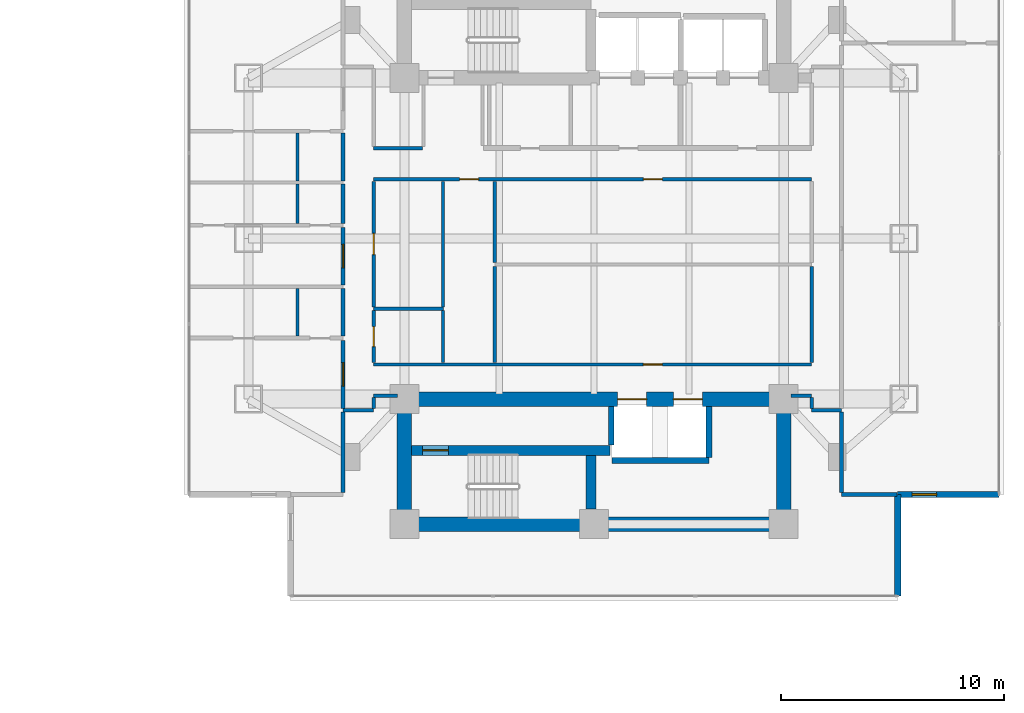
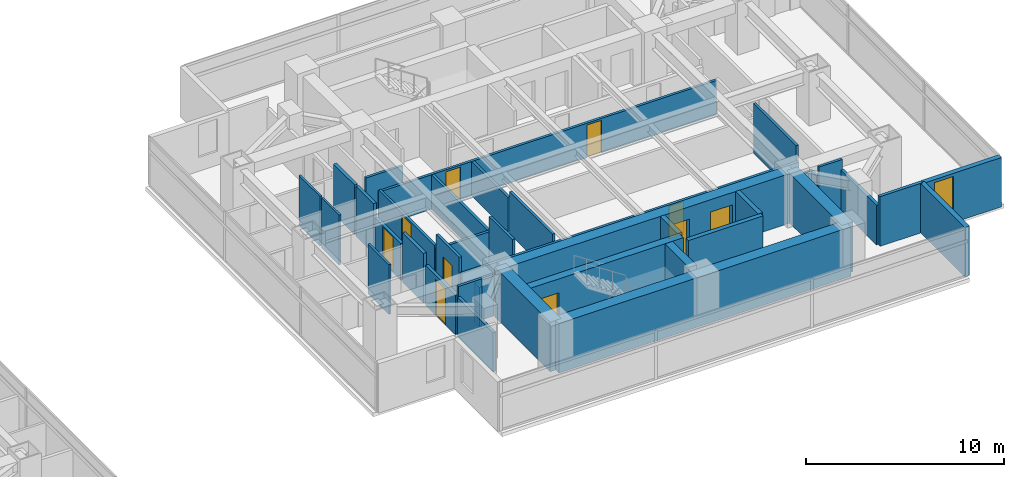
# One storey, part 16 of 24: 39 walls, 10 doors, 1 window, 11 openings.
"""IFC4 building model written with IfcOpenShell, lengths in metres."""

from ifc_helpers import new_model, si_unit, direction, frame, frame_2d, origin, place, context, subcontext, project, spatial, rectangle, extrude, material, layer, layer_set, type_object, element, fill, save


model = new_model("IFC4")

# Units and contexts
model_context = context("Model", 3, precision=1e-05, world=origin(), true_north=direction((0.0, 1.0)))
body_context = subcontext(model_context, "Body", "Model", "MODEL_VIEW")
ifc_project = project(units=[si_unit("LENGTHUNIT", "METRE"), si_unit("AREAUNIT", "SQUARE_METRE"), si_unit("VOLUMEUNIT", "CUBIC_METRE"), si_unit("PLANEANGLEUNIT", "RADIAN"), si_unit("MASSUNIT", "GRAM", prefix="KILO")], contexts=[model_context])

# Site, building, storey
site_placement = place(None, origin())
site = spatial("IfcSite", under=ifc_project, at=site_placement, CompositionType="ELEMENT")
building_placement = place(site_placement, origin())
building = spatial("IfcBuilding", under=site, at=building_placement, Name="Mirazonda Arch Towers", CompositionType="ELEMENT")
storey_placement = place(building_placement, frame((0.0, 0.0, 62.0)))
storey = spatial("IfcBuildingStorey", under=building, at=storey_placement, Name="L17", CompositionType="ELEMENT", Elevation=62.0)

# Wall, opening, door
ifc_material_1 = material(Name="Concrete C50/60", Category="concrete")
ifc_layer_1 = layer(ifc_material_1, 0.449951171875, Name="WALL-CORE-450")
ifc_layer_set_1 = layer_set([ifc_layer_1], Name="Concrete C50/60")
wall_type_1 = type_object("IfcWallType", Name="WALL-CORE-450", PredefinedType="SHEAR", material=ifc_layer_set_1)
wall_1_placement = place(storey_placement, frame((68.320068359375, 18.5, 0.0), z_axis=(0.0, 0.0, 1.0), x_axis=(1.0, 0.0, 0.0)))
wall_1 = element("IfcWall", 1, at=wall_1_placement, inside=storey, type_object=wall_type_1, Name="L17 Stair Core Shear Wall 014", PredefinedType="SHEAR", context=body_context, shape_type="SweptSolid", body=[
    extrude(rectangle(XDim=8.89990234375, YDim=0.449951171875, at=frame_2d((4.449951171875, 0.0))), origin(), (0.0, 0.0, 1.0), 3.06005859375),
])
opening_1_placement = place(wall_1_placement, frame((0.4951171875, 0.0, 0.0)))
opening_1 = element("IfcOpeningElement", 2, at=opening_1_placement, cuts=wall_1, Name="Opening DR-135", PredefinedType="OPENING", context=body_context, shape_type="SweptSolid", body=[
    extrude(rectangle(XDim=1.14990234375, YDim=2.199951171875, at=frame_2d((0.574951171875, 1.10009765625))), frame((0.0, 0.23486328125, 0.0), z_axis=(0.0, -1.0, 0.0), x_axis=(1.0, 0.0, 0.0)), (0.0, 0.0, 1.0), 0.469970703125),
])
ifc_material_2 = material(Name="Architectural Brushed Steel S355", Category="steel")
door_type_1 = type_object("IfcDoorType", Name="DOOR-STAIR-FD90-1150", OperationType="NOTDEFINED", PredefinedType="DOOR", material=ifc_material_2)
door_1_placement = place(opening_1_placement, origin())
door_1 = element("IfcDoor", 3, at=door_1_placement, inside=storey, type_object=door_type_1, Name="L17 East Protected Stair South Door", OperationType="SINGLE_SWING_RIGHT", OverallHeight=2.199951171875, OverallWidth=1.14990234375, PredefinedType="DOOR", context=body_context, shape_type="SweptSolid", body=[
    extrude(rectangle(XDim=1.14990234375, YDim=2.199951171875, at=frame_2d((0.574951171875, 1.10009765625))), frame((0.0, 0.02490234375, 0.0), z_axis=(0.0, -1.0, 0.0), x_axis=(1.0, 0.0, 0.0)), (0.0, 0.0, 1.0), 0.050048828125),
])
fill(opening_1, door_1)

# Walls
wall_2_placement = place(storey_placement, frame((76.360107421875, 15.864990234375, 0.0), z_axis=(0.0, 0.0, 1.0), x_axis=(0.0, 1.0, 0.0)))
element("IfcWall", 4, at=wall_2_placement, inside=storey, type_object=wall_type_1, Name="L17 Stair Core Shear Wall 139", PredefinedType="SHEAR", context=body_context, shape_type="SweptSolid", body=[
    extrude(rectangle(XDim=2.39990234375, YDim=0.449951171875, at=frame_2d((1.199951171875, 0.0))), origin(), (0.0, 0.0, 1.0), 3.06005859375),
])
ifc_material_3 = material(Name="Concrete C60/75", Category="concrete")
ifc_layer_2 = layer(ifc_material_3, 0.64990234375, Name="WALL-CORE-650")
ifc_layer_set_2 = layer_set([ifc_layer_2], Name="Concrete C60/75")
wall_type_2 = type_object("IfcWallType", Name="WALL-CORE-650", PredefinedType="SHEAR", material=ifc_layer_set_2)
wall_3_placement = place(storey_placement, frame((68.0, 15.199951171875, 0.0), z_axis=(0.0, 0.0, 1.0), x_axis=(1.0, 0.0, 0.0)))
element("IfcWall", 5, at=wall_3_placement, inside=storey, type_object=wall_type_2, Name="L17 T2S-S Core Shear Wall", PredefinedType="SHEAR", context=body_context, shape_type="SweptSolid", body=[
    extrude(rectangle(XDim=17.0, YDim=0.64990234375, at=frame_2d((8.5, 0.0))), origin(), (0.0, 0.0, 1.0), 3.06005859375),
])
for number, where, z_axis, x_axis, name in (
    (6, (68.0, 15.199951171875, 0.0), (0.0, 0.0, 1.0), (0.0, 1.0, 0.0), "L17 T2S-W Core Shear Wall"),
    (7, (85.0, 15.199951171875, 0.0), (0.0, 0.0, 1.0), (0.0, 1.0, 0.0), "L17 T2S-E Core Shear Wall"),
):
    element("IfcWall", number, at=place(storey_placement, frame(where, z_axis=z_axis, x_axis=x_axis)), inside=storey, type_object=wall_type_2, Name=name, PredefinedType="SHEAR", context=body_context, shape_type="SweptSolid", body=[
        extrude(rectangle(XDim=5.60009765625, YDim=0.64990234375, at=frame_2d((2.800048828125, 0.0))), origin(), (0.0, 0.0, 1.0), 3.06005859375),
    ])

# Wall, openings, doors
wall_4_placement = place(storey_placement, frame((68.0, 20.800048828125, 0.0), z_axis=(0.0, 0.0, 1.0), x_axis=(1.0, 0.0, 0.0)))
wall_4 = element("IfcWall", 8, at=wall_4_placement, inside=storey, type_object=wall_type_2, Name="L17 T2S-N Core Shear Wall", PredefinedType="SHEAR", context=body_context, shape_type="SweptSolid", body=[
    extrude(rectangle(XDim=17.0, YDim=0.64990234375, at=frame_2d((8.5, 0.0))), origin(), (0.0, 0.0, 1.0), 3.06005859375),
])
opening_2_placement = place(wall_4_placement, frame((9.550048828125, 0.0, 0.0)))
opening_2 = element("IfcOpeningElement", 9, at=opening_2_placement, cuts=wall_4, Name="Opening LD-111", PredefinedType="OPENING", context=body_context, shape_type="SweptSolid", body=[
    extrude(rectangle(XDim=1.300048828125, YDim=2.300048828125, at=frame_2d((0.64990234375, 1.14990234375))), frame((0.0, 0.3349609375, 0.0), z_axis=(0.0, -1.0, 0.0), x_axis=(1.0, 0.0, 0.0)), (0.0, 0.0, 1.0), 0.669921875),
])
opening_3_placement = place(wall_4_placement, frame((12.050048828125, 0.0, 0.0)))
opening_3 = element("IfcOpeningElement", 10, at=opening_3_placement, cuts=wall_4, Name="Opening LD-111", PredefinedType="OPENING", context=body_context, shape_type="SweptSolid", body=[
    extrude(rectangle(XDim=1.300048828125, YDim=2.300048828125, at=frame_2d((0.64990234375, 1.14990234375))), frame((0.0, 0.3349609375, 0.0), z_axis=(0.0, -1.0, 0.0), x_axis=(1.0, 0.0, 0.0)), (0.0, 0.0, 1.0), 0.669921875),
])
door_type_2 = type_object("IfcDoorType", Name="DOOR-LIFT-LAND-1300", OperationType="NOTDEFINED", PredefinedType="DOOR", material=ifc_material_2)
door_2_placement = place(opening_2_placement, origin())
door_2 = element("IfcDoor", 11, at=door_2_placement, inside=storey, type_object=door_type_2, Name="L17 Lift Landing Sliding Door PL-T2H1", OperationType="DOUBLE_DOOR_SLIDING", OverallHeight=2.300048828125, OverallWidth=1.300048828125, PredefinedType="DOOR", context=body_context, shape_type="SweptSolid", body=[
    extrude(rectangle(XDim=1.300048828125, YDim=2.300048828125, at=frame_2d((0.64990234375, 1.14990234375))), frame((0.0, 0.02490234375, 0.0), z_axis=(0.0, -1.0, 0.0), x_axis=(1.0, 0.0, 0.0)), (0.0, 0.0, 1.0), 0.050048828125),
])
fill(opening_2, door_2)
door_3_placement = place(opening_3_placement, origin())
door_3 = element("IfcDoor", 12, at=door_3_placement, inside=storey, type_object=door_type_2, Name="L17 Lift Landing Sliding Door PL-T2H2", OperationType="DOUBLE_DOOR_SLIDING", OverallHeight=2.300048828125, OverallWidth=1.300048828125, PredefinedType="DOOR", context=body_context, shape_type="SweptSolid", body=[
    extrude(rectangle(XDim=1.300048828125, YDim=2.300048828125, at=frame_2d((0.64990234375, 1.14990234375))), frame((0.0, 0.02490234375, 0.0), z_axis=(0.0, -1.0, 0.0), x_axis=(1.0, 0.0, 0.0)), (0.0, 0.0, 1.0), 0.050048828125),
])
fill(opening_3, door_3)

# Wall, opening, window
ifc_material_4 = material(Name="Precast Concrete C40/50", Category="concrete")
ifc_layer_3 = layer(ifc_material_4, 0.280029296875, Name="WALL-EXT-WALL-280")
ifc_layer_set_3 = layer_set([ifc_layer_3], Name="Precast Concrete C40/50")
wall_type_3 = type_object("IfcWallType", Name="WALL-EXT-WALL-280", PredefinedType="SOLIDWALL", material=ifc_layer_set_3)
wall_5_placement = place(storey_placement, frame((90.10791015625, 16.52001953125, 0.0), z_axis=(0.0, 0.0, 1.0), x_axis=(1.0, 0.0, 0.0)))
wall_5 = element("IfcWall", 13, at=wall_5_placement, inside=storey, type_object=wall_type_3, Name="L17 T2 Corner Notch Return Wall WL-L17-T2-CSE1", PredefinedType="SOLIDWALL", context=body_context, shape_type="SweptSolid", body=[
    extrude(rectangle(XDim=4.546142578125, YDim=0.280029296875, at=frame_2d((2.27294921875, 0.0))), origin(), (0.0, 0.0, 1.0), 3.0400390625),
])
opening_4_placement = place(wall_5_placement, frame((0.64990234375, 0.0, 0.85009765625)))
opening_4 = element("IfcOpeningElement", 14, at=opening_4_placement, cuts=wall_5, Name="Opening WN-108", PredefinedType="OPENING", context=body_context, shape_type="SweptSolid", body=[
    extrude(rectangle(XDim=1.10009765625, YDim=2.0, at=frame_2d((0.550048828125, 1.0))), frame((0.0, 0.14990234375, 0.0), z_axis=(0.0, -1.0, 0.0), x_axis=(1.0, 0.0, 0.0)), (0.0, 0.0, 1.0), 0.300048828125),
])
ifc_material_5 = material(Name="Insulated Low-E Solar Glass", Category="glass")
window_type = type_object("IfcWindowType", Name="WIN-NOTCH-1100x2000", PartitioningType="SINGLE_PANEL", PredefinedType="WINDOW", material=ifc_material_5)
window_placement = place(opening_4_placement, origin())
window = element("IfcWindow", 15, at=window_placement, inside=storey, type_object=window_type, Name="L17 Punched Facade Window WN-L17-T2-CSE1", OverallHeight=2.0, OverallWidth=1.10009765625, PartitioningType="SINGLE_PANEL", PredefinedType="WINDOW", context=body_context, shape_type="SweptSolid", body=[
    extrude(rectangle(XDim=1.10009765625, YDim=2.0, at=frame_2d((0.550048828125, 1.0))), frame((0.0, 0.030029296875, 0.0), z_axis=(0.0, -1.0, 0.0), x_axis=(1.0, 0.0, 0.0)), (0.0, 0.0, 1.0), 0.06005859375),
])
fill(opening_4, window)

# Walls
wall_6_placement = place(storey_placement, frame((90.10791015625, 11.97412109375, 0.0), z_axis=(0.0, 0.0, 1.0), x_axis=(0.0, 1.0, 0.0)))
element("IfcWall", 16, at=wall_6_placement, inside=storey, type_object=wall_type_3, Name="L17 T2 Corner Notch Return Wall WL-L17-T2-CSE2", PredefinedType="SOLIDWALL", context=body_context, shape_type="SweptSolid", body=[
    extrude(rectangle(XDim=4.5458984375, YDim=0.280029296875, at=frame_2d((2.27294921875, 0.0))), origin(), (0.0, 0.0, 1.0), 3.0400390625),
])
ifc_material_6 = material(Name="Fire-Rated Gypsum Stud Partition")
ifc_layer_4 = layer(ifc_material_6, 0.14990234375, Name="WALL-PART-CORR-150")
ifc_layer_set_4 = layer_set([ifc_layer_4], Name="Fire-Rated Gypsum Stud Partition")
wall_type_4 = type_object("IfcWallType", Name="WALL-PART-CORR-150", PredefinedType="PARTITIONING", material=ifc_layer_set_4)
wall_7_placement = place(storey_placement, frame((65.25, 20.300048828125, 0.0), z_axis=(0.0, 0.0, 1.0), x_axis=(1.0, 0.0, 0.0)))
element("IfcWall", 17, at=wall_7_placement, inside=storey, type_object=wall_type_4, Name="L17 Interior Partition 017", PredefinedType="PARTITIONING", context=body_context, shape_type="SweptSolid", body=[
    extrude(rectangle(XDim=1.3701171875, YDim=0.14990234375, at=frame_2d((0.68505859375, 0.0))), origin(), (0.0, 0.0, 1.0), 3.06005859375),
])
wall_8_placement = place(storey_placement, frame((86.25, 20.300048828125, 0.0), z_axis=(0.0, 0.0, 1.0), x_axis=(1.0, 0.0, 0.0)))
element("IfcWall", 18, at=wall_8_placement, inside=storey, type_object=wall_type_4, Name="L17 Interior Partition 018", PredefinedType="PARTITIONING", context=body_context, shape_type="SweptSolid", body=[
    extrude(rectangle(XDim=1.35009765625, YDim=0.14990234375, at=frame_2d((0.675048828125, 0.0))), origin(), (0.0, 0.0, 1.0), 3.06005859375),
])
wall_9_placement = place(storey_placement, frame((66.6201171875, 20.949951171875, 0.0), z_axis=(0.0, 0.0, 1.0), x_axis=(1.0, 0.0, 0.0)))
element("IfcWall", 19, at=wall_9_placement, inside=storey, type_object=wall_type_4, Name="L17 Interior Partition 019", PredefinedType="PARTITIONING", context=body_context, shape_type="SweptSolid", body=[
    extrude(rectangle(XDim=1.059814453125, YDim=0.14990234375, at=frame_2d((0.52978515625, 0.0))), origin(), (0.0, 0.0, 1.0), 2.451904296875),
])
wall_10_placement = place(storey_placement, frame((85.320068359375, 20.949951171875, 0.0), z_axis=(0.0, 0.0, 1.0), x_axis=(1.0, 0.0, 0.0)))
element("IfcWall", 20, at=wall_10_placement, inside=storey, type_object=wall_type_4, Name="L17 Interior Partition 020", PredefinedType="PARTITIONING", context=body_context, shape_type="SweptSolid", body=[
    extrude(rectangle(XDim=0.929931640625, YDim=0.14990234375, at=frame_2d((0.46484375, 0.0))), origin(), (0.0, 0.0, 1.0), 2.451904296875),
])

# Wall, opening, door
wall_11_placement = place(storey_placement, frame((66.6201171875, 22.35009765625, 0.0), z_axis=(0.0, 0.0, 1.0), x_axis=(1.0, 0.0, 0.0)))
wall_11 = element("IfcWall", 21, at=wall_11_placement, inside=storey, type_object=wall_type_4, Name="L17 Interior Partition 022", PredefinedType="PARTITIONING", context=body_context, shape_type="SweptSolid", body=[
    extrude(rectangle(XDim=19.6298828125, YDim=0.14990234375, at=frame_2d((9.81494140625, 0.0))), origin(), (0.0, 0.0, 1.0), 2.125),
])
opening_5_placement = place(wall_11_placement, frame((12.0849609375, 0.0, 0.0)))
opening_5 = element("IfcOpeningElement", 22, at=opening_5_placement, cuts=wall_11, Name="Opening DR-128", PredefinedType="OPENING", context=body_context, shape_type="SweptSolid", body=[
    extrude(rectangle(XDim=0.85009765625, YDim=2.010009765625, at=frame_2d((0.425048828125, 1.0048828125))), frame((0.0, 0.0849609375, 0.0), z_axis=(0.0, -1.0, 0.0), x_axis=(1.0, 0.0, 0.0)), (0.0, 0.0, 1.0), 0.169921875),
])
door_type_3 = type_object("IfcDoorType", Name="DOOR-RISER-FD60-850", OperationType="NOTDEFINED", PredefinedType="DOOR", material=ifc_material_2)
door_4_placement = place(opening_5_placement, origin())
door_4 = element("IfcDoor", 23, at=door_4_placement, inside=storey, type_object=door_type_3, Name="L17 Business Reading Study Door", OperationType="SINGLE_SWING_RIGHT", OverallHeight=2.010009765625, OverallWidth=0.85009765625, PredefinedType="DOOR", context=body_context, shape_type="SweptSolid", body=[
    extrude(rectangle(XDim=0.85009765625, YDim=2.010009765625, at=frame_2d((0.425048828125, 1.0048828125))), frame((0.0, 0.02490234375, 0.0), z_axis=(0.0, -1.0, 0.0), x_axis=(1.0, 0.0, 0.0)), (0.0, 0.0, 1.0), 0.050048828125),
])
fill(opening_5, door_4)

# Wall
wall_12_placement = place(storey_placement, frame((66.6201171875, 24.85009765625, 0.0), z_axis=(0.0, 0.0, 1.0), x_axis=(1.0, 0.0, 0.0)))
element("IfcWall", 24, at=wall_12_placement, inside=storey, type_object=wall_type_4, Name="L17 Interior Partition 027", PredefinedType="PARTITIONING", context=body_context, shape_type="SweptSolid", body=[
    extrude(rectangle(XDim=3.1298828125, YDim=0.14990234375, at=frame_2d((1.56494140625, 0.0))), origin(), (0.0, 0.0, 1.0), 2.125),
])

# Wall, openings, doors
wall_13_placement = place(storey_placement, frame((66.6201171875, 30.64990234375, 0.0), z_axis=(0.0, 0.0, 1.0), x_axis=(1.0, 0.0, 0.0)))
wall_13 = element("IfcWall", 25, at=wall_13_placement, inside=storey, type_object=wall_type_4, Name="L17 Interior Partition 036", PredefinedType="PARTITIONING", context=body_context, shape_type="SweptSolid", body=[
    extrude(rectangle(XDim=19.6298828125, YDim=0.14990234375, at=frame_2d((9.81494140625, 0.0))), origin(), (0.0, 0.0, 1.0), 2.125),
])
opening_6_placement = place(wall_13_placement, frame((3.85498046875, 0.0, 0.0)))
opening_6 = element("IfcOpeningElement", 26, at=opening_6_placement, cuts=wall_13, Name="Opening DR-128", PredefinedType="OPENING", context=body_context, shape_type="SweptSolid", body=[
    extrude(rectangle(XDim=0.85009765625, YDim=2.010009765625, at=frame_2d((0.425048828125, 1.0048828125))), frame((0.0, 0.0849609375, 0.0), z_axis=(0.0, -1.0, 0.0), x_axis=(1.0, 0.0, 0.0)), (0.0, 0.0, 1.0), 0.169921875),
])
opening_7_placement = place(wall_13_placement, frame((12.0849609375, 0.0, 0.0)))
opening_7 = element("IfcOpeningElement", 27, at=opening_7_placement, cuts=wall_13, Name="Opening DR-128", PredefinedType="OPENING", context=body_context, shape_type="SweptSolid", body=[
    extrude(rectangle(XDim=0.85009765625, YDim=2.010009765625, at=frame_2d((0.425048828125, 1.0048828125))), frame((0.0, 0.0849609375, 0.0), z_axis=(0.0, -1.0, 0.0), x_axis=(1.0, 0.0, 0.0)), (0.0, 0.0, 1.0), 0.169921875),
])
door_5_placement = place(opening_6_placement, origin())
door_5 = element("IfcDoor", 28, at=door_5_placement, inside=storey, type_object=door_type_3, Name="L17 L17 East Courtyard Study Door", OperationType="SINGLE_SWING_LEFT", OverallHeight=2.010009765625, OverallWidth=0.85009765625, PredefinedType="DOOR", context=body_context, shape_type="SweptSolid", body=[
    extrude(rectangle(XDim=0.85009765625, YDim=2.010009765625, at=frame_2d((0.425048828125, 1.0048828125))), frame((0.0, 0.02490234375, 0.0), z_axis=(0.0, -1.0, 0.0), x_axis=(1.0, 0.0, 0.0)), (0.0, 0.0, 1.0), 0.050048828125),
])
fill(opening_6, door_5)
door_6_placement = place(opening_7_placement, origin())
door_6 = element("IfcDoor", 29, at=door_6_placement, inside=storey, type_object=door_type_3, Name="L17 Concierge Salon Door", OperationType="SINGLE_SWING_LEFT", OverallHeight=2.010009765625, OverallWidth=0.85009765625, PredefinedType="DOOR", context=body_context, shape_type="SweptSolid", body=[
    extrude(rectangle(XDim=0.85009765625, YDim=2.010009765625, at=frame_2d((0.425048828125, 1.0048828125))), frame((0.0, 0.02490234375, 0.0), z_axis=(0.0, -1.0, 0.0), x_axis=(1.0, 0.0, 0.0)), (0.0, 0.0, 1.0), 0.050048828125),
])
fill(opening_7, door_6)

# Walls
wall_14_placement = place(storey_placement, frame((66.6201171875, 32.050048828125, 0.0), z_axis=(0.0, 0.0, 1.0), x_axis=(1.0, 0.0, 0.0)))
element("IfcWall", 30, at=wall_14_placement, inside=storey, type_object=wall_type_4, Name="L17 Interior Partition 038", PredefinedType="PARTITIONING", context=body_context, shape_type="SweptSolid", body=[
    extrude(rectangle(XDim=2.179931640625, YDim=0.14990234375, at=frame_2d((1.08984375, 0.0))), origin(), (0.0, 0.0, 1.0), 2.125),
])
wall_15_placement = place(storey_placement, frame((66.6201171875, 20.385009765625, 0.0), z_axis=(0.0, 0.0, 1.0), x_axis=(0.0, 1.0, 0.0)))
element("IfcWall", 31, at=wall_15_placement, inside=storey, type_object=wall_type_4, Name="L17 Interior Partition 127", PredefinedType="PARTITIONING", context=body_context, shape_type="SweptSolid", body=[
    extrude(rectangle(XDim=0.47998046875, YDim=0.14990234375, at=frame_2d((0.239990234375, 0.0))), origin(), (0.0, 0.0, 1.0), 2.451904296875),
])

# Wall, opening, door
wall_16_placement = place(storey_placement, frame((66.6201171875, 22.43505859375, 0.0), z_axis=(0.0, 0.0, 1.0), x_axis=(0.0, 1.0, 0.0)))
wall_16 = element("IfcWall", 32, at=wall_16_placement, inside=storey, type_object=wall_type_4, Name="L17 Interior Partition 128", PredefinedType="PARTITIONING", context=body_context, shape_type="SweptSolid", body=[
    extrude(rectangle(XDim=2.329833984375, YDim=0.14990234375, at=frame_2d((1.1650390625, 0.0))), origin(), (0.0, 0.0, 1.0), 3.06005859375),
])
opening_8_placement = place(wall_16_placement, frame((0.715087890625, 0.0, 0.0)))
opening_8 = element("IfcOpeningElement", 33, at=opening_8_placement, cuts=wall_16, Name="Opening DR-120", PredefinedType="OPENING", context=body_context, shape_type="SweptSolid", body=[
    extrude(rectangle(XDim=0.89990234375, YDim=2.10009765625, at=frame_2d((0.449951171875, 1.050048828125))), frame((0.0, 0.0849609375, 0.0), z_axis=(0.0, -1.0, 0.0), x_axis=(1.0, 0.0, 0.0)), (0.0, 0.0, 1.0), 0.169921875),
])
door_type_4 = type_object("IfcDoorType", Name="DOOR-WC-900", OperationType="NOTDEFINED", PredefinedType="DOOR", material=ifc_material_2)
door_7_placement = place(opening_8_placement, origin())
door_7 = element("IfcDoor", 34, at=door_7_placement, inside=storey, type_object=door_type_4, Name="L17 Tower 2 Common Accessible WC Door", OperationType="SINGLE_SWING_LEFT", OverallHeight=2.10009765625, OverallWidth=0.89990234375, PredefinedType="DOOR", context=body_context, shape_type="SweptSolid", body=[
    extrude(rectangle(XDim=0.89990234375, YDim=2.10009765625, at=frame_2d((0.449951171875, 1.050048828125))), frame((0.0, 0.02490234375, 0.0), z_axis=(0.0, -1.0, 0.0), x_axis=(1.0, 0.0, 0.0)), (0.0, 0.0, 1.0), 0.050048828125),
])
fill(opening_8, door_7)

wall_17_placement = place(storey_placement, frame((66.6201171875, 24.93505859375, 0.0), z_axis=(0.0, 0.0, 1.0), x_axis=(0.0, 1.0, 0.0)))
wall_17 = element("IfcWall", 35, at=wall_17_placement, inside=storey, type_object=wall_type_4, Name="L17 Interior Partition 129", PredefinedType="PARTITIONING", context=body_context, shape_type="SweptSolid", body=[
    extrude(rectangle(XDim=5.6298828125, YDim=0.14990234375, at=frame_2d((2.81494140625, 0.0))), origin(), (0.0, 0.0, 1.0), 2.279052734375),
])
opening_9_placement = place(wall_17_placement, frame((2.340087890625, 0.0, 0.0)))
opening_9 = element("IfcOpeningElement", 36, at=opening_9_placement, cuts=wall_17, Name="Opening DR-104", PredefinedType="OPENING", context=body_context, shape_type="SweptSolid", body=[
    extrude(rectangle(XDim=0.949951171875, YDim=2.14990234375, at=frame_2d((0.47509765625, 1.074951171875))), frame((0.0, 0.0849609375, 0.0), z_axis=(0.0, -1.0, 0.0), x_axis=(1.0, 0.0, 0.0)), (0.0, 0.0, 1.0), 0.169921875),
])
door_type_5 = type_object("IfcDoorType", Name="DOOR-ROOM-950", OperationType="NOTDEFINED", PredefinedType="DOOR", material=ifc_material_2)
door_8_placement = place(opening_9_placement, origin())
door_8 = element("IfcDoor", 37, at=door_8_placement, inside=storey, type_object=door_type_5, Name="L17 L17 East Courtyard Reading Study Door", OperationType="SINGLE_SWING_RIGHT", OverallHeight=2.14990234375, OverallWidth=0.949951171875, PredefinedType="DOOR", context=body_context, shape_type="SweptSolid", body=[
    extrude(rectangle(XDim=0.949951171875, YDim=2.14990234375, at=frame_2d((0.47509765625, 1.074951171875))), frame((0.0, 0.02490234375, 0.0), z_axis=(0.0, -1.0, 0.0), x_axis=(1.0, 0.0, 0.0)), (0.0, 0.0, 1.0), 0.050048828125),
])
fill(opening_9, door_8)

# Walls
wall_18_placement = place(storey_placement, frame((69.723388671875, 22.43505859375, 0.0), z_axis=(0.0, 0.0, 1.0), x_axis=(0.0, 1.0, 0.0)))
element("IfcWall", 38, at=wall_18_placement, inside=storey, type_object=wall_type_4, Name="L17 Interior Partition 132", PredefinedType="PARTITIONING", context=body_context, shape_type="SweptSolid", body=[
    extrude(rectangle(XDim=2.329833984375, YDim=0.14990234375, at=frame_2d((1.1650390625, 0.0))), origin(), (0.0, 0.0, 1.0), 3.06005859375),
])
wall_19_placement = place(storey_placement, frame((69.723388671875, 24.93505859375, 0.0), z_axis=(0.0, 0.0, 1.0), x_axis=(0.0, 1.0, 0.0)))
element("IfcWall", 39, at=wall_19_placement, inside=storey, type_object=wall_type_4, Name="L17 Interior Partition 133", PredefinedType="PARTITIONING", context=body_context, shape_type="SweptSolid", body=[
    extrude(rectangle(XDim=5.6298828125, YDim=0.14990234375, at=frame_2d((2.81494140625, 0.0))), origin(), (0.0, 0.0, 1.0), 2.125),
])
wall_20_placement = place(storey_placement, frame((72.050048828125, 22.43505859375, 0.0), z_axis=(0.0, 0.0, 1.0), x_axis=(0.0, 1.0, 0.0)))
element("IfcWall", 40, at=wall_20_placement, inside=storey, type_object=wall_type_4, Name="L17 Interior Partition 136", PredefinedType="PARTITIONING", context=body_context, shape_type="SweptSolid", body=[
    extrude(rectangle(XDim=4.31201171875, YDim=0.14990234375, at=frame_2d((2.156005859375, 0.0))), origin(), (0.0, 0.0, 1.0), 2.589111328125),
])
wall_21_placement = place(storey_placement, frame((72.050048828125, 26.9169921875, 0.0), z_axis=(0.0, 0.0, 1.0), x_axis=(0.0, 1.0, 0.0)))
element("IfcWall", 41, at=wall_21_placement, inside=storey, type_object=wall_type_4, Name="L17 Interior Partition 137", PredefinedType="PARTITIONING", context=body_context, shape_type="SweptSolid", body=[
    extrude(rectangle(XDim=3.64794921875, YDim=0.14990234375, at=frame_2d((1.823974609375, 0.0))), origin(), (0.0, 0.0, 1.0), 2.125),
])
wall_22_placement = place(storey_placement, frame((86.25, 20.385009765625, 0.0), z_axis=(0.0, 0.0, 1.0), x_axis=(0.0, 1.0, 0.0)))
element("IfcWall", 42, at=wall_22_placement, inside=storey, type_object=wall_type_4, Name="L17 Interior Partition 146", PredefinedType="PARTITIONING", context=body_context, shape_type="SweptSolid", body=[
    extrude(rectangle(XDim=0.47998046875, YDim=0.14990234375, at=frame_2d((0.239990234375, 0.0))), origin(), (0.0, 0.0, 1.0), 2.451904296875),
])
wall_23_placement = place(storey_placement, frame((86.25, 22.43505859375, 0.0), z_axis=(0.0, 0.0, 1.0), x_axis=(0.0, 1.0, 0.0)))
element("IfcWall", 43, at=wall_23_placement, inside=storey, type_object=wall_type_4, Name="L17 Interior Partition 147", PredefinedType="PARTITIONING", context=body_context, shape_type="SweptSolid", body=[
    extrude(rectangle(XDim=4.31201171875, YDim=0.14990234375, at=frame_2d((2.156005859375, 0.0))), origin(), (0.0, 0.0, 1.0), 3.06005859375),
])
ifc_material_7 = material(Name="Fire-Rated Gypsum Twin-Stud Assembly")
ifc_layer_5 = layer(ifc_material_7, 0.179931640625, Name="WALL-PART-DEMISE-180")
ifc_layer_set_5 = layer_set([ifc_layer_5], Name="Fire-Rated Gypsum Twin-Stud Assembly")
wall_type_5 = type_object("IfcWallType", Name="WALL-PART-DEMISE-180", PredefinedType="PARTITIONING", material=ifc_layer_set_5)
wall_24_placement = place(storey_placement, frame((87.60009765625, 16.52001953125, 0.0), z_axis=(0.0, 0.0, 1.0), x_axis=(1.0, 0.0, 0.0)))
element("IfcWall", 44, at=wall_24_placement, inside=storey, type_object=wall_type_5, Name="L17 Interior Partition 010", PredefinedType="PARTITIONING", context=body_context, shape_type="SweptSolid", body=[
    extrude(rectangle(XDim=2.48779296875, YDim=0.179931640625, at=frame_2d((1.243896484375, 0.0))), origin(), (0.0, 0.0, 1.0), 3.06005859375),
])
wall_25_placement = place(storey_placement, frame((65.25, 16.6201171875, 0.0), z_axis=(0.0, 0.0, 1.0), x_axis=(0.0, 1.0, 0.0)))
element("IfcWall", 45, at=wall_25_placement, inside=storey, type_object=wall_type_5, Name="L17 Interior Partition 119", PredefinedType="PARTITIONING", context=body_context, shape_type="SweptSolid", body=[
    extrude(rectangle(XDim=3.594970703125, YDim=0.179931640625, at=frame_2d((1.79736328125, 0.0))), origin(), (0.0, 0.0, 1.0), 2.43603515625),
])

# Wall, opening, door
wall_26_placement = place(storey_placement, frame((65.25, 20.385009765625, 0.0), z_axis=(0.0, 0.0, 1.0), x_axis=(0.0, 1.0, 0.0)))
wall_26 = element("IfcWall", 46, at=wall_26_placement, inside=storey, type_object=wall_type_5, Name="L17 Interior Partition 120", PredefinedType="PARTITIONING", context=body_context, shape_type="SweptSolid", body=[
    extrude(rectangle(XDim=3.049072265625, YDim=0.179931640625, at=frame_2d((1.5244140625, 0.0))), origin(), (0.0, 0.0, 1.0), 2.451904296875),
])
opening_10_placement = place(wall_26_placement, frame((0.99951171875, 0.0, 0.0)))
opening_10 = element("IfcOpeningElement", 47, at=opening_10_placement, cuts=wall_26, Name="Opening DR-121", PredefinedType="OPENING", context=body_context, shape_type="SweptSolid", body=[
    extrude(rectangle(XDim=1.050048828125, YDim=2.199951171875, at=frame_2d((0.52490234375, 1.10009765625))), frame((0.0, 0.099853515625, 0.0), z_axis=(0.0, -1.0, 0.0), x_axis=(1.0, 0.0, 0.0)), (0.0, 0.0, 1.0), 0.199951171875),
])
door_type_6 = type_object("IfcDoorType", Name="DOOR-SUITE-FD60-1050", OperationType="NOTDEFINED", PredefinedType="DOOR", material=ifc_material_2)
door_9_placement = place(opening_10_placement, origin())
door_9 = element("IfcDoor", 48, at=door_9_placement, inside=storey, type_object=door_type_6, Name="L17 King Hotel Guestroom 1 Door", OperationType="SINGLE_SWING_RIGHT", OverallHeight=2.199951171875, OverallWidth=1.050048828125, PredefinedType="DOOR", context=body_context, shape_type="SweptSolid", body=[
    extrude(rectangle(XDim=1.050048828125, YDim=2.199951171875, at=frame_2d((0.52490234375, 1.10009765625))), frame((0.0, 0.02490234375, 0.0), z_axis=(0.0, -1.0, 0.0), x_axis=(1.0, 0.0, 0.0)), (0.0, 0.0, 1.0), 0.050048828125),
])
fill(opening_10, door_9)

# Wall
wall_27_placement = place(storey_placement, frame((65.25, 23.634033203125, 0.0), z_axis=(0.0, 0.0, 1.0), x_axis=(0.0, 1.0, 0.0)))
element("IfcWall", 49, at=wall_27_placement, inside=storey, type_object=wall_type_5, Name="L17 Interior Partition 121", PredefinedType="PARTITIONING", context=body_context, shape_type="SweptSolid", body=[
    extrude(rectangle(XDim=2.114990234375, YDim=0.179931640625, at=frame_2d((1.0576171875, 0.0))), origin(), (0.0, 0.0, 1.0), 3.06005859375),
])

# Wall, opening, door
wall_28_placement = place(storey_placement, frame((65.25, 25.9189453125, 0.0), z_axis=(0.0, 0.0, 1.0), x_axis=(0.0, 1.0, 0.0)))
wall_28 = element("IfcWall", 50, at=wall_28_placement, inside=storey, type_object=wall_type_5, Name="L17 Interior Partition 122", PredefinedType="PARTITIONING", context=body_context, shape_type="SweptSolid", body=[
    extrude(rectangle(XDim=2.583984375, YDim=0.179931640625, at=frame_2d((1.2919921875, 0.0))), origin(), (0.0, 0.0, 1.0), 2.279052734375),
])
opening_11_placement = place(wall_28_placement, frame((0.76708984375, 0.0, 0.0)))
opening_11 = element("IfcOpeningElement", 51, at=opening_11_placement, cuts=wall_28, Name="Opening DR-121", PredefinedType="OPENING", context=body_context, shape_type="SweptSolid", body=[
    extrude(rectangle(XDim=1.050048828125, YDim=2.199951171875, at=frame_2d((0.52490234375, 1.10009765625))), frame((0.0, 0.099853515625, 0.0), z_axis=(0.0, -1.0, 0.0), x_axis=(1.0, 0.0, 0.0)), (0.0, 0.0, 1.0), 0.199951171875),
])
door_10_placement = place(opening_11_placement, origin())
door_10 = element("IfcDoor", 52, at=door_10_placement, inside=storey, type_object=door_type_6, Name="L17 Twin Hotel Guestroom 2 Door", OperationType="SINGLE_SWING_LEFT", OverallHeight=2.199951171875, OverallWidth=1.050048828125, PredefinedType="DOOR", context=body_context, shape_type="SweptSolid", body=[
    extrude(rectangle(XDim=1.050048828125, YDim=2.199951171875, at=frame_2d((0.52490234375, 1.10009765625))), frame((0.0, 0.02490234375, 0.0), z_axis=(0.0, -1.0, 0.0), x_axis=(1.0, 0.0, 0.0)), (0.0, 0.0, 1.0), 0.050048828125),
])
fill(opening_11, door_10)

# Walls
wall_29_placement = place(storey_placement, frame((65.25, 28.673095703125, 0.0), z_axis=(0.0, 0.0, 1.0), x_axis=(0.0, 1.0, 0.0)))
element("IfcWall", 53, at=wall_29_placement, inside=storey, type_object=wall_type_5, Name="L17 Interior Partition 123", PredefinedType="PARTITIONING", context=body_context, shape_type="SweptSolid", body=[
    extrude(rectangle(XDim=1.762451171875, YDim=0.179931640625, at=frame_2d((0.88134765625, 0.0))), origin(), (0.0, 0.0, 1.0), 3.06005859375),
])
wall_30_placement = place(storey_placement, frame((65.25, 30.58056640625, 0.0), z_axis=(0.0, 0.0, 1.0), x_axis=(0.0, 1.0, 0.0)))
element("IfcWall", 54, at=wall_30_placement, inside=storey, type_object=wall_type_5, Name="L17 Interior Partition 124", PredefinedType="PARTITIONING", context=body_context, shape_type="SweptSolid", body=[
    extrude(rectangle(XDim=2.142333984375, YDim=0.179931640625, at=frame_2d((1.0712890625, 0.0))), origin(), (0.0, 0.0, 1.0), 3.06005859375),
])
wall_31_placement = place(storey_placement, frame((87.60009765625, 16.6201171875, 0.0), z_axis=(0.0, 0.0, 1.0), x_axis=(0.0, 1.0, 0.0)))
element("IfcWall", 55, at=wall_31_placement, inside=storey, type_object=wall_type_5, Name="L17 Interior Partition 151", PredefinedType="PARTITIONING", context=body_context, shape_type="SweptSolid", body=[
    extrude(rectangle(XDim=3.594970703125, YDim=0.179931640625, at=frame_2d((1.79736328125, 0.0))), origin(), (0.0, 0.0, 1.0), 2.43603515625),
])
ifc_material_8 = material(Name="Acoustic Fire-Rated Gypsum Partition")
ifc_layer_6 = layer(ifc_material_8, 0.125, Name="WALL-PART-UNIT-125")
ifc_layer_set_6 = layer_set([ifc_layer_6], Name="Acoustic Fire-Rated Gypsum Partition")
wall_type_6 = type_object("IfcWallType", Name="WALL-PART-UNIT-125", PredefinedType="PARTITIONING", material=ifc_layer_set_6)
wall_32_placement = place(storey_placement, frame((63.2099609375, 23.634033203125, 0.0), z_axis=(0.0, 0.0, 1.0), x_axis=(0.0, 1.0, 0.0)))
element("IfcWall", 56, at=wall_32_placement, inside=storey, type_object=wall_type_6, Name="L17 Interior Partition 116", PredefinedType="PARTITIONING", context=body_context, shape_type="SweptSolid", body=[
    extrude(rectangle(XDim=2.114990234375, YDim=0.125, at=frame_2d((1.0576171875, 0.0))), origin(), (0.0, 0.0, 1.0), 3.06005859375),
])
wall_33_placement = place(storey_placement, frame((63.2099609375, 28.673095703125, 0.0), z_axis=(0.0, 0.0, 1.0), x_axis=(0.0, 1.0, 0.0)))
element("IfcWall", 57, at=wall_33_placement, inside=storey, type_object=wall_type_6, Name="L17 Interior Partition 117", PredefinedType="PARTITIONING", context=body_context, shape_type="SweptSolid", body=[
    extrude(rectangle(XDim=1.762451171875, YDim=0.125, at=frame_2d((0.88134765625, 0.0))), origin(), (0.0, 0.0, 1.0), 3.06005859375),
])
wall_34_placement = place(storey_placement, frame((63.2099609375, 30.58056640625, 0.0), z_axis=(0.0, 0.0, 1.0), x_axis=(0.0, 1.0, 0.0)))
element("IfcWall", 58, at=wall_34_placement, inside=storey, type_object=wall_type_6, Name="L17 Interior Partition 118", PredefinedType="PARTITIONING", context=body_context, shape_type="SweptSolid", body=[
    extrude(rectangle(XDim=2.142333984375, YDim=0.125, at=frame_2d((1.0712890625, 0.0))), origin(), (0.0, 0.0, 1.0), 3.06005859375),
])
ifc_material_9 = material(Name="Concrete C40/50", Category="concrete")
ifc_layer_7 = layer(ifc_material_9, 0.25, Name="WALL-SHAFT-250")
ifc_layer_set_7 = layer_set([ifc_layer_7], Name="Concrete C40/50")
wall_type_7 = type_object("IfcWallType", Name="WALL-SHAFT-250", PredefinedType="SOLIDWALL", material=ifc_layer_set_7)
wall_35_placement = place(storey_placement, frame((77.300048828125, 18.050048828125, 0.0), z_axis=(0.0, 0.0, 1.0), x_axis=(1.0, 0.0, 0.0)))
element("IfcWall", 59, at=wall_35_placement, inside=storey, type_object=wall_type_7, Name="L17 Interior Partition 011", PredefinedType="SOLIDWALL", context=body_context, shape_type="SweptSolid", body=[
    extrude(rectangle(XDim=4.349853515625, YDim=0.25, at=frame_2d((2.1748046875, 0.0))), origin(), (0.0, 0.0, 1.0), 3.06005859375),
])
wall_36_placement = place(storey_placement, frame((77.260009765625, 18.735107421875, 0.0), z_axis=(0.0, 0.0, 1.0), x_axis=(0.0, 1.0, 0.0)))
element("IfcWall", 60, at=wall_36_placement, inside=storey, type_object=wall_type_7, Name="L17 Interior Partition 141", PredefinedType="SOLIDWALL", context=body_context, shape_type="SweptSolid", body=[
    extrude(rectangle(XDim=1.744873046875, YDim=0.25, at=frame_2d((0.87255859375, 0.0))), origin(), (0.0, 0.0, 1.0), 3.06005859375),
])
wall_37_placement = place(storey_placement, frame((81.64990234375, 18.18505859375, 0.0), z_axis=(0.0, 0.0, 1.0), x_axis=(0.0, 1.0, 0.0)))
element("IfcWall", 61, at=wall_37_placement, inside=storey, type_object=wall_type_7, Name="L17 Interior Partition 144", PredefinedType="SOLIDWALL", context=body_context, shape_type="SweptSolid", body=[
    extrude(rectangle(XDim=2.294921875, YDim=0.25, at=frame_2d((1.1474609375, 0.0))), origin(), (0.0, 0.0, 1.0), 3.06005859375),
])

save(model, "model.ifc")
